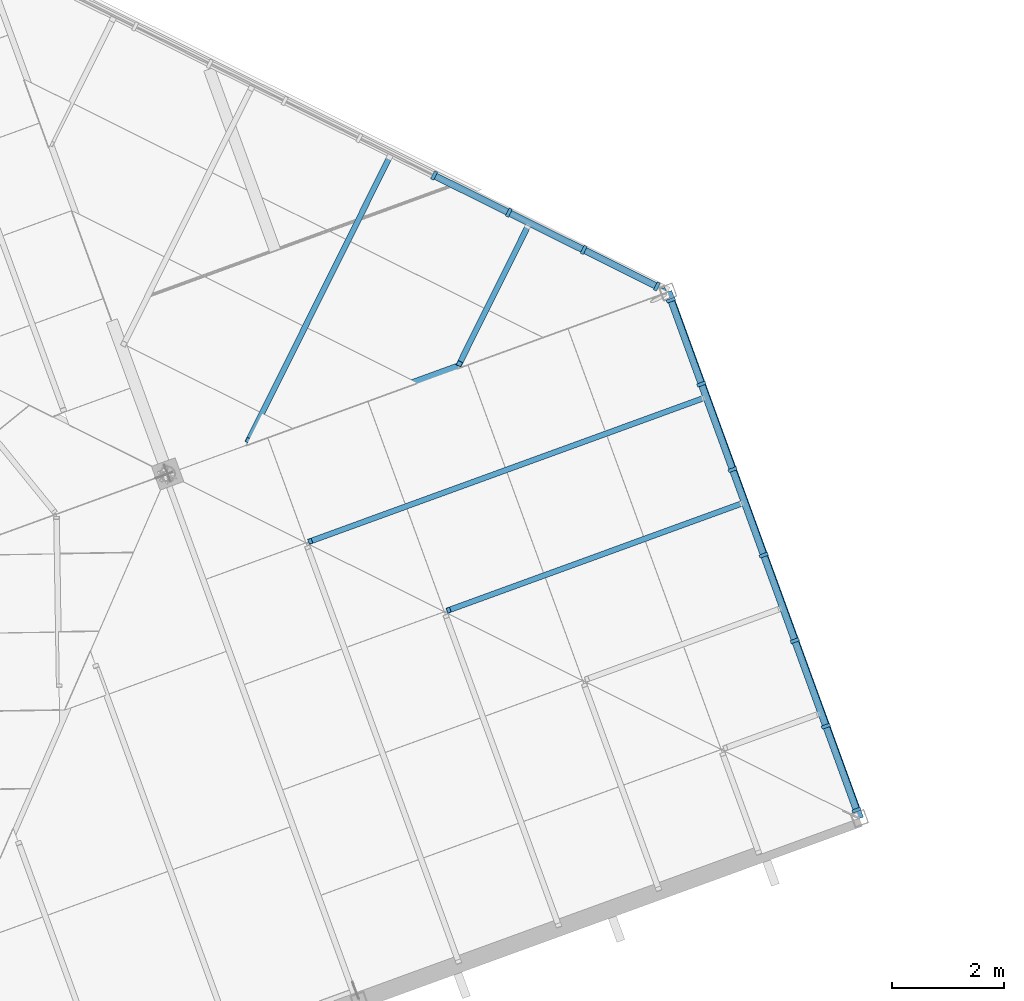
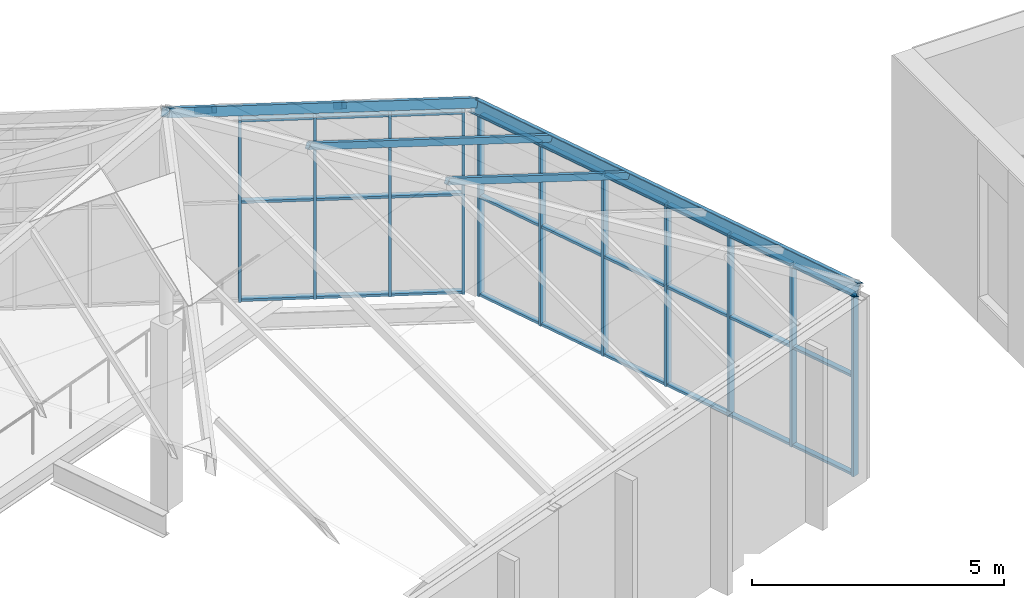
# One storey, part 24 of 95: 43 members, 1 beam, 2 elements without a shape of their own.
"""IFC4 building model written with IfcOpenShell, lengths in metres."""

from ifc_helpers import new_model, si_unit, direction, frame, origin, origin_2d, place, context, subcontext, project, spatial, rectangle, hollow_rectangle, i_section, extrude, material, layer, layer_set, material_profile, profile_set, type_object, element, aggregate, save


model = new_model("IFC4")

# Units and contexts
model_context = context("Model", 3, precision=1e-05, world=origin(), true_north=direction((0.0, 1.0)))
body_context = subcontext(model_context, "Body", "Model", "MODEL_VIEW")
ifc_project = project(units=[si_unit("LENGTHUNIT", "METRE"), si_unit("AREAUNIT", "SQUARE_METRE"), si_unit("VOLUMEUNIT", "CUBIC_METRE"), si_unit("PLANEANGLEUNIT", "RADIAN"), si_unit("MASSUNIT", "GRAM", prefix="KILO")], contexts=[model_context])

# Site, building, storey
site_placement = place(None, origin())
site = spatial("IfcSite", under=ifc_project, at=site_placement, CompositionType="ELEMENT")
building_placement = place(site_placement, origin())
building = spatial("IfcBuilding", under=site, at=building_placement, Name="Windward Yard Aquatics Centre", CompositionType="ELEMENT")
storey_placement = place(building_placement, frame((0.0, 0.0, 9.39990234375)))
storey = spatial("IfcBuildingStorey", under=building, at=storey_placement, Name="L02", CompositionType="ELEMENT", Elevation=9.39990234375)

# Members
ifc_material_1 = material(Name="Steel S355", Category="steel")
ifc_material_profile_1 = material_profile(ifc_material_1, hollow_rectangle(XDim=0.202880859375, YDim=0.202880859375, WallThickness=0.0087890625, at=origin_2d()), Name="HSS203x203x9.5")
ifc_profile_set_1 = profile_set([ifc_material_profile_1], Name="Steel S355")
member_type_1 = type_object("IfcMemberType", Name="F HSS203x203x9.5 brace", PredefinedType="BRACE", material=ifc_profile_set_1)
member_1_placement = place(storey_placement, frame((43.806396484375, 98.451416015625, 4.630859375), z_axis=(-0.836940202925, -0.304608237947, 0.454692113527), x_axis=(0.421432812681, -0.888749879217, 0.180327581328)))
element("IfcMember", 1, at=member_1_placement, inside=storey, type_object=member_type_1, Name="F.RF.H.16", PredefinedType="BRACE", context=body_context, shape_type="SweptSolid", body=[
    extrude(hollow_rectangle(XDim=0.202880859375, YDim=0.202880859375, WallThickness=0.0087890625, at=origin_2d()), origin(), (0.0, 0.0, 1.0), 10.666259765625),
])
ifc_material_profile_2 = material_profile(ifc_material_1, hollow_rectangle(XDim=0.10009765625, YDim=0.14990234375, WallThickness=0.006103515625, at=origin_2d()), Name="RHS150x100x6")
ifc_profile_set_2 = profile_set([ifc_material_profile_2], Name="Steel S355")
member_type_2 = type_object("IfcMemberType", Name="F RHS150x100x6 rafter", PredefinedType="RAFTER", material=ifc_profile_set_2)
member_2_placement = place(storey_placement, frame((44.49072265625, 96.601806640625, 4.651123046875), z_axis=(-0.836923531519, -0.304632246898, 0.45470671486), x_axis=(0.342036990971, -0.939686488573, 0.0)))
element("IfcMember", 2, at=member_2_placement, inside=storey, type_object=member_type_2, Name="F.RF.R.03.01", PredefinedType="RAFTER", context=body_context, shape_type="SweptSolid", body=[
    extrude(hollow_rectangle(XDim=0.10009765625, YDim=0.14990234375, WallThickness=0.006103515625, at=origin_2d()), origin(), (0.0, 0.0, 1.0), 8.38623046875),
])
member_3_placement = place(storey_placement, frame((45.1748046875, 94.722412109375, 4.651123046875), z_axis=(-0.836921825488, -0.3046262693, 0.454713859558), x_axis=(0.342031680218, -0.93968842162, 0.0)))
element("IfcMember", 3, at=member_3_placement, inside=storey, type_object=member_type_2, Name="F.RF.R.03.02", PredefinedType="RAFTER", context=body_context, shape_type="SweptSolid", body=[
    extrude(hollow_rectangle(XDim=0.10009765625, YDim=0.14990234375, WallThickness=0.006103515625, at=origin_2d()), origin(), (0.0, 0.0, 1.0), 6.2529296875),
])
member_4_placement = place(storey_placement, frame((38.88671875, 100.900390625, 4.6591796875), z_axis=(-0.364418060771, -0.73191242382, 0.575763563315), x_axis=(0.895178429972, -0.445707952041, 0.0)))
element("IfcMember", 4, at=member_4_placement, inside=storey, type_object=member_type_2, Name="F.RF.R.04.03", PredefinedType="RAFTER", context=body_context, shape_type="SweptSolid", body=[
    extrude(hollow_rectangle(XDim=0.10009765625, YDim=0.14990234375, WallThickness=0.006103515625, at=origin_2d()), origin(), (0.0, 0.0, 1.0), 6.904541015625),
])
member_5_placement = place(storey_placement, frame((41.356201171875, 99.670654296875, 4.6591796875), z_axis=(-0.364389391305, -0.731910026381, 0.575784755606), x_axis=(0.895191837706, -0.445681022374, 0.0)))
element("IfcMember", 5, at=member_5_placement, inside=storey, type_object=member_type_2, Name="F.RF.R.04.04", PredefinedType="RAFTER", context=body_context, shape_type="SweptSolid", body=[
    extrude(hollow_rectangle(XDim=0.10009765625, YDim=0.14990234375, WallThickness=0.006103515625, at=origin_2d()), origin(), (0.0, 0.0, 1.0), 3.352783203125),
])

# Beam
ifc_material_profile_3 = material_profile(ifc_material_1, i_section(OverallWidth=0.202880859375, OverallDepth=0.302001953125, WebThickness=0.007568359375, FlangeThickness=0.01318359375, at=origin_2d()), Name="W310x60")
ifc_profile_set_3 = profile_set([ifc_material_profile_3], Name="Steel S355")
beam_type = type_object("IfcBeamType", Name="F W310x60 beam", PredefinedType="BEAM", material=ifc_profile_set_3)
beam_placement = place(storey_placement, frame((47.194580078125, 89.072509765625, 4.58349609375), z_axis=(-0.342023369638, 0.939691446498, 0.0), x_axis=(-0.836932163213, -0.304621649678, 0.454697926901)))
element("IfcBeam", 6, at=beam_placement, inside=storey, type_object=beam_type, Name="F.RF.E.15", PredefinedType="BEAM", context=body_context, shape_type="SweptSolid", body=[
    extrude(i_section(OverallWidth=0.202880859375, OverallDepth=0.302001953125, WebThickness=0.007568359375, FlangeThickness=0.01318359375, at=origin_2d()), origin(), (0.0, 0.0, 1.0), 9.999755859375),
])

# Curtain wall, members
ifc_material_2 = material(Name="Aluminium, anodised", Category="aluminium")
ifc_layer = layer(ifc_material_2, 0.14990234375)
ifc_layer_set = layer_set([ifc_layer], Name="F curtain wall 150 aluminium")
curtain_wall_type = type_object("IfcCurtainWallType", Name="F curtain wall 150 aluminium", PredefinedType="NOTDEFINED", material=ifc_layer_set)
curtain_wall_1_placement = place(storey_placement, origin())
curtain_wall_1 = element("IfcCurtainWall", 7, at=curtain_wall_1_placement, inside=storey, type_object=curtain_wall_type, Name="Foyer glazing L02 1", PredefinedType="NOTDEFINED")
ifc_material_profile_4 = material_profile(ifc_material_2, rectangle(XDim=0.159912109375, YDim=0.06005859375, at=origin_2d()), Name="MULLION 60x160")
ifc_profile_set_4 = profile_set([ifc_material_profile_4], Name="Aluminium, anodised")
member_type_3 = type_object("IfcMemberType", Name="F mullion 60x160 aluminium", PredefinedType="MULLION", material=ifc_profile_set_4)
member_6_placement = place(storey_placement, frame((47.220703125, 89.2490234375, 0.0), z_axis=(0.0, 0.0, 1.0), x_axis=(-0.939693023091, -0.342019037998, 0.0)))
member_6 = element("IfcMember", 8, at=member_6_placement, type_object=member_type_3, Name="FCW1 mullion 1", PredefinedType="MULLION", context=body_context, shape_type="SweptSolid", body=[
    extrude(rectangle(XDim=0.159912109375, YDim=0.06005859375, at=origin_2d()), origin(), (0.0, 0.0, 1.0), 4.400146484375),
])
member_7_placement = place(storey_placement, frame((46.67529296875, 90.7470703125, 0.0), z_axis=(0.0, 0.0, 1.0), x_axis=(-0.939693023091, -0.342019037998, 0.0)))
member_7 = element("IfcMember", 9, at=member_7_placement, type_object=member_type_3, Name="FCW1 mullion 2", PredefinedType="MULLION", context=body_context, shape_type="SweptSolid", body=[
    extrude(rectangle(XDim=0.159912109375, YDim=0.06005859375, at=origin_2d()), origin(), (0.0, 0.0, 1.0), 4.400146484375),
])
member_8_placement = place(storey_placement, frame((46.119873046875, 92.2734375, 0.0), z_axis=(0.0, 0.0, 1.0), x_axis=(-0.939693023091, -0.342019037998, 0.0)))
member_8 = element("IfcMember", 10, at=member_8_placement, type_object=member_type_3, Name="FCW1 mullion 3", PredefinedType="MULLION", context=body_context, shape_type="SweptSolid", body=[
    extrude(rectangle(XDim=0.159912109375, YDim=0.06005859375, at=origin_2d()), origin(), (0.0, 0.0, 1.0), 4.400146484375),
])
member_9_placement = place(storey_placement, frame((45.564208984375, 93.7998046875, 0.0), z_axis=(0.0, 0.0, 1.0), x_axis=(-0.939693023091, -0.342019037998, 0.0)))
member_9 = element("IfcMember", 11, at=member_9_placement, type_object=member_type_3, Name="FCW1 mullion 4", PredefinedType="MULLION", context=body_context, shape_type="SweptSolid", body=[
    extrude(rectangle(XDim=0.159912109375, YDim=0.06005859375, at=origin_2d()), origin(), (0.0, 0.0, 1.0), 4.400146484375),
])
member_10_placement = place(storey_placement, frame((45.0087890625, 95.326171875, 0.0), z_axis=(0.0, 0.0, 1.0), x_axis=(-0.939693023091, -0.342019037998, 0.0)))
member_10 = element("IfcMember", 12, at=member_10_placement, type_object=member_type_3, Name="FCW1 mullion 5", PredefinedType="MULLION", context=body_context, shape_type="SweptSolid", body=[
    extrude(rectangle(XDim=0.159912109375, YDim=0.06005859375, at=origin_2d()), origin(), (0.0, 0.0, 1.0), 4.400146484375),
])
member_11_placement = place(storey_placement, frame((44.453125, 96.8525390625, 0.0), z_axis=(0.0, 0.0, 1.0), x_axis=(-0.939693023091, -0.342019037998, 0.0)))
member_11 = element("IfcMember", 13, at=member_11_placement, type_object=member_type_3, Name="FCW1 mullion 6", PredefinedType="MULLION", context=body_context, shape_type="SweptSolid", body=[
    extrude(rectangle(XDim=0.159912109375, YDim=0.06005859375, at=origin_2d()), origin(), (0.0, 0.0, 1.0), 4.400146484375),
])
member_12_placement = place(storey_placement, frame((43.907958984375, 98.350830078125, 0.0), z_axis=(0.0, 0.0, 1.0), x_axis=(-0.939693023091, -0.342019037998, 0.0)))
member_12 = element("IfcMember", 14, at=member_12_placement, type_object=member_type_3, Name="FCW1 mullion 7", PredefinedType="MULLION", context=body_context, shape_type="SweptSolid", body=[
    extrude(rectangle(XDim=0.159912109375, YDim=0.06005859375, at=origin_2d()), origin(), (0.0, 0.0, 1.0), 4.400146484375),
])

curtain_wall_2_placement = place(storey_placement, origin())
curtain_wall_2 = element("IfcCurtainWall", 15, at=curtain_wall_2_placement, inside=storey, type_object=curtain_wall_type, Name="Foyer glazing L02 2", PredefinedType="NOTDEFINED")
member_13_placement = place(storey_placement, frame((43.6572265625, 98.596435546875, 0.0), z_axis=(0.0, 0.0, 1.0), x_axis=(-0.445706968105, -0.895178919872, 0.0)))
member_13 = element("IfcMember", 16, at=member_13_placement, type_object=member_type_3, Name="FCW2 mullion 1", PredefinedType="MULLION", context=body_context, shape_type="SweptSolid", body=[
    extrude(rectangle(XDim=0.159912109375, YDim=0.06005859375, at=origin_2d()), origin(), (0.0, 0.0, 1.0), 4.400146484375),
])
member_14_placement = place(storey_placement, frame((42.35009765625, 99.247314453125, 0.0), z_axis=(0.0, 0.0, 1.0), x_axis=(-0.445706968105, -0.895178919872, 0.0)))
member_14 = element("IfcMember", 17, at=member_14_placement, type_object=member_type_3, Name="FCW2 mullion 2", PredefinedType="MULLION", context=body_context, shape_type="SweptSolid", body=[
    extrude(rectangle(XDim=0.159912109375, YDim=0.06005859375, at=origin_2d()), origin(), (0.0, 0.0, 1.0), 4.400146484375),
])
member_15_placement = place(storey_placement, frame((41.015869140625, 99.91162109375, 0.0), z_axis=(0.0, 0.0, 1.0), x_axis=(-0.445706968105, -0.895178919872, 0.0)))
member_15 = element("IfcMember", 18, at=member_15_placement, type_object=member_type_3, Name="FCW2 mullion 3", PredefinedType="MULLION", context=body_context, shape_type="SweptSolid", body=[
    extrude(rectangle(XDim=0.159912109375, YDim=0.06005859375, at=origin_2d()), origin(), (0.0, 0.0, 1.0), 4.400146484375),
])
member_16_placement = place(storey_placement, frame((39.681640625, 100.575927734375, 0.0), z_axis=(0.0, 0.0, 1.0), x_axis=(-0.445706968105, -0.895178919872, 0.0)))
member_16 = element("IfcMember", 19, at=member_16_placement, type_object=member_type_3, Name="FCW2 mullion 4", PredefinedType="MULLION", context=body_context, shape_type="SweptSolid", body=[
    extrude(rectangle(XDim=0.159912109375, YDim=0.06005859375, at=origin_2d()), origin(), (0.0, 0.0, 1.0), 4.400146484375),
])

# Member
ifc_material_profile_5 = material_profile(ifc_material_2, rectangle(XDim=0.1201171875, YDim=0.06005859375, at=origin_2d()), Name="TRANSOM 60x120")
ifc_profile_set_5 = profile_set([ifc_material_profile_5], Name="Aluminium, anodised")
member_type_4 = type_object("IfcMemberType", Name="F transom 60x120 aluminium", PredefinedType="USERDEFINED", material=ifc_profile_set_5)
member_17_placement = place(storey_placement, frame((47.21044921875, 89.277099609375, 0.030029296875), z_axis=(-0.342075187401, 0.939672584555, 0.0), x_axis=(-0.939672584555, -0.342075187401, 0.0)))
member_17 = element("IfcMember", 20, at=member_17_placement, type_object=member_type_4, Name="FCW1 transom 1.1", ObjectType="TRANSOM", PredefinedType="USERDEFINED", context=body_context, shape_type="SweptSolid", body=[
    extrude(rectangle(XDim=0.1201171875, YDim=0.06005859375, at=origin_2d()), origin(), (0.0, 0.0, 1.0), 1.534423828125),
])

member_18_placement = place(storey_placement, frame((47.21044921875, 89.277099609375, 2.400146484375), z_axis=(-0.342075187401, 0.939672584555, 0.0), x_axis=(-0.939672584555, -0.342075187401, 0.0)))
member_18 = element("IfcMember", 21, at=member_18_placement, type_object=member_type_4, Name="FCW1 transom 1.2", ObjectType="TRANSOM", PredefinedType="USERDEFINED", context=body_context, shape_type="SweptSolid", body=[
    extrude(rectangle(XDim=0.1201171875, YDim=0.06005859375, at=origin_2d()), origin(), (0.0, 0.0, 1.0), 1.534423828125),
])

member_19_placement = place(storey_placement, frame((47.21044921875, 89.277099609375, 4.3701171875), z_axis=(-0.342075187401, 0.939672584555, 0.0), x_axis=(-0.939672584555, -0.342075187401, 0.0)))
member_19 = element("IfcMember", 22, at=member_19_placement, type_object=member_type_4, Name="FCW1 transom 1.3", ObjectType="TRANSOM", PredefinedType="USERDEFINED", context=body_context, shape_type="SweptSolid", body=[
    extrude(rectangle(XDim=0.1201171875, YDim=0.06005859375, at=origin_2d()), origin(), (0.0, 0.0, 1.0), 1.534423828125),
])

member_20_placement = place(storey_placement, frame((46.6650390625, 90.775390625, 0.030029296875), z_axis=(-0.341956088346, 0.93971593242, 0.0), x_axis=(-0.93971593242, -0.341956088346, 0.0)))
member_20 = element("IfcMember", 23, at=member_20_placement, type_object=member_type_4, Name="FCW1 transom 2.1", ObjectType="TRANSOM", PredefinedType="USERDEFINED", context=body_context, shape_type="SweptSolid", body=[
    extrude(rectangle(XDim=0.1201171875, YDim=0.06005859375, at=origin_2d()), origin(), (0.0, 0.0, 1.0), 1.564208984375),
])

member_21_placement = place(storey_placement, frame((46.6650390625, 90.775390625, 2.400146484375), z_axis=(-0.341956088346, 0.93971593242, 0.0), x_axis=(-0.93971593242, -0.341956088346, 0.0)))
member_21 = element("IfcMember", 24, at=member_21_placement, type_object=member_type_4, Name="FCW1 transom 2.2", ObjectType="TRANSOM", PredefinedType="USERDEFINED", context=body_context, shape_type="SweptSolid", body=[
    extrude(rectangle(XDim=0.1201171875, YDim=0.06005859375, at=origin_2d()), origin(), (0.0, 0.0, 1.0), 1.564208984375),
])

member_22_placement = place(storey_placement, frame((46.6650390625, 90.775390625, 4.3701171875), z_axis=(-0.341956088346, 0.93971593242, 0.0), x_axis=(-0.93971593242, -0.341956088346, 0.0)))
member_22 = element("IfcMember", 25, at=member_22_placement, type_object=member_type_4, Name="FCW1 transom 2.3", ObjectType="TRANSOM", PredefinedType="USERDEFINED", context=body_context, shape_type="SweptSolid", body=[
    extrude(rectangle(XDim=0.1201171875, YDim=0.06005859375, at=origin_2d()), origin(), (0.0, 0.0, 1.0), 1.564208984375),
])

member_23_placement = place(storey_placement, frame((46.109619140625, 92.3017578125, 0.030029296875), z_axis=(-0.342093900136, 0.939665772224, 0.0), x_axis=(-0.939665772224, -0.342093900136, 0.0)))
member_23 = element("IfcMember", 26, at=member_23_placement, type_object=member_type_4, Name="FCW1 transom 3.1", ObjectType="TRANSOM", PredefinedType="USERDEFINED", context=body_context, shape_type="SweptSolid", body=[
    extrude(rectangle(XDim=0.1201171875, YDim=0.06005859375, at=origin_2d()), origin(), (0.0, 0.0, 1.0), 1.564453125),
])

member_24_placement = place(storey_placement, frame((46.109619140625, 92.3017578125, 2.400146484375), z_axis=(-0.342093900136, 0.939665772224, 0.0), x_axis=(-0.939665772224, -0.342093900136, 0.0)))
member_24 = element("IfcMember", 27, at=member_24_placement, type_object=member_type_4, Name="FCW1 transom 3.2", ObjectType="TRANSOM", PredefinedType="USERDEFINED", context=body_context, shape_type="SweptSolid", body=[
    extrude(rectangle(XDim=0.1201171875, YDim=0.06005859375, at=origin_2d()), origin(), (0.0, 0.0, 1.0), 1.564453125),
])

member_25_placement = place(storey_placement, frame((46.109619140625, 92.3017578125, 4.3701171875), z_axis=(-0.342093900136, 0.939665772224, 0.0), x_axis=(-0.939665772224, -0.342093900136, 0.0)))
member_25 = element("IfcMember", 28, at=member_25_placement, type_object=member_type_4, Name="FCW1 transom 3.3", ObjectType="TRANSOM", PredefinedType="USERDEFINED", context=body_context, shape_type="SweptSolid", body=[
    extrude(rectangle(XDim=0.1201171875, YDim=0.06005859375, at=origin_2d()), origin(), (0.0, 0.0, 1.0), 1.564453125),
])

member_26_placement = place(storey_placement, frame((45.553955078125, 93.828125, 0.030029296875), z_axis=(-0.341956088346, 0.93971593242, 0.0), x_axis=(-0.93971593242, -0.341956088346, 0.0)))
member_26 = element("IfcMember", 29, at=member_26_placement, type_object=member_type_4, Name="FCW1 transom 4.1", ObjectType="TRANSOM", PredefinedType="USERDEFINED", context=body_context, shape_type="SweptSolid", body=[
    extrude(rectangle(XDim=0.1201171875, YDim=0.06005859375, at=origin_2d()), origin(), (0.0, 0.0, 1.0), 1.564208984375),
])

member_27_placement = place(storey_placement, frame((45.553955078125, 93.828125, 2.400146484375), z_axis=(-0.341956088346, 0.93971593242, 0.0), x_axis=(-0.93971593242, -0.341956088346, 0.0)))
member_27 = element("IfcMember", 30, at=member_27_placement, type_object=member_type_4, Name="FCW1 transom 4.2", ObjectType="TRANSOM", PredefinedType="USERDEFINED", context=body_context, shape_type="SweptSolid", body=[
    extrude(rectangle(XDim=0.1201171875, YDim=0.06005859375, at=origin_2d()), origin(), (0.0, 0.0, 1.0), 1.564208984375),
])

member_28_placement = place(storey_placement, frame((45.553955078125, 93.828125, 4.3701171875), z_axis=(-0.341956088346, 0.93971593242, 0.0), x_axis=(-0.93971593242, -0.341956088346, 0.0)))
member_28 = element("IfcMember", 31, at=member_28_placement, type_object=member_type_4, Name="FCW1 transom 4.3", ObjectType="TRANSOM", PredefinedType="USERDEFINED", context=body_context, shape_type="SweptSolid", body=[
    extrude(rectangle(XDim=0.1201171875, YDim=0.06005859375, at=origin_2d()), origin(), (0.0, 0.0, 1.0), 1.564208984375),
])

member_29_placement = place(storey_placement, frame((44.99853515625, 95.3544921875, 0.030029296875), z_axis=(-0.342093900136, 0.939665772224, 0.0), x_axis=(-0.939665772224, -0.342093900136, 0.0)))
member_29 = element("IfcMember", 32, at=member_29_placement, type_object=member_type_4, Name="FCW1 transom 5.1", ObjectType="TRANSOM", PredefinedType="USERDEFINED", context=body_context, shape_type="SweptSolid", body=[
    extrude(rectangle(XDim=0.1201171875, YDim=0.06005859375, at=origin_2d()), origin(), (0.0, 0.0, 1.0), 1.564453125),
])

member_30_placement = place(storey_placement, frame((44.99853515625, 95.3544921875, 2.400146484375), z_axis=(-0.342093900136, 0.939665772224, 0.0), x_axis=(-0.939665772224, -0.342093900136, 0.0)))
member_30 = element("IfcMember", 33, at=member_30_placement, type_object=member_type_4, Name="FCW1 transom 5.2", ObjectType="TRANSOM", PredefinedType="USERDEFINED", context=body_context, shape_type="SweptSolid", body=[
    extrude(rectangle(XDim=0.1201171875, YDim=0.06005859375, at=origin_2d()), origin(), (0.0, 0.0, 1.0), 1.564453125),
])

member_31_placement = place(storey_placement, frame((44.99853515625, 95.3544921875, 4.3701171875), z_axis=(-0.342093900136, 0.939665772224, 0.0), x_axis=(-0.939665772224, -0.342093900136, 0.0)))
member_31 = element("IfcMember", 34, at=member_31_placement, type_object=member_type_4, Name="FCW1 transom 5.3", ObjectType="TRANSOM", PredefinedType="USERDEFINED", context=body_context, shape_type="SweptSolid", body=[
    extrude(rectangle(XDim=0.1201171875, YDim=0.06005859375, at=origin_2d()), origin(), (0.0, 0.0, 1.0), 1.564453125),
])

member_32_placement = place(storey_placement, frame((44.44287109375, 96.880859375, 0.030029296875), z_axis=(-0.341985823019, 0.939705111646, 0.0), x_axis=(-0.939705111646, -0.341985823019, 0.0)))
member_32 = element("IfcMember", 35, at=member_32_placement, type_object=member_type_4, Name="FCW1 transom 6.1", ObjectType="TRANSOM", PredefinedType="USERDEFINED", context=body_context, shape_type="SweptSolid", body=[
    extrude(rectangle(XDim=0.1201171875, YDim=0.06005859375, at=origin_2d()), origin(), (0.0, 0.0, 1.0), 1.5341796875),
])

member_33_placement = place(storey_placement, frame((44.44287109375, 96.880859375, 2.400146484375), z_axis=(-0.341985823019, 0.939705111646, 0.0), x_axis=(-0.939705111646, -0.341985823019, 0.0)))
member_33 = element("IfcMember", 36, at=member_33_placement, type_object=member_type_4, Name="FCW1 transom 6.2", ObjectType="TRANSOM", PredefinedType="USERDEFINED", context=body_context, shape_type="SweptSolid", body=[
    extrude(rectangle(XDim=0.1201171875, YDim=0.06005859375, at=origin_2d()), origin(), (0.0, 0.0, 1.0), 1.5341796875),
])

member_34_placement = place(storey_placement, frame((44.44287109375, 96.880859375, 4.3701171875), z_axis=(-0.341985823019, 0.939705111646, 0.0), x_axis=(-0.939705111646, -0.341985823019, 0.0)))
member_34 = element("IfcMember", 37, at=member_34_placement, type_object=member_type_4, Name="FCW1 transom 6.3", ObjectType="TRANSOM", PredefinedType="USERDEFINED", context=body_context, shape_type="SweptSolid", body=[
    extrude(rectangle(XDim=0.1201171875, YDim=0.06005859375, at=origin_2d()), origin(), (0.0, 0.0, 1.0), 1.5341796875),
])

aggregate(curtain_wall_1, [member_6, member_7, member_8, member_9, member_10, member_11, member_12, member_17, member_18, member_19, member_20, member_21, member_22, member_23, member_24, member_25, member_26, member_27, member_28, member_29, member_30, member_31, member_32, member_33, member_34])

member_35_placement = place(storey_placement, frame((43.63037109375, 98.60986328125, 0.030029296875), z_axis=(-0.895193083549, 0.445678519975, 0.0), x_axis=(-0.445678519975, -0.895193083549, 0.0)))
member_35 = element("IfcMember", 38, at=member_35_placement, type_object=member_type_4, Name="FCW2 transom 1.1", ObjectType="TRANSOM", PredefinedType="USERDEFINED", context=body_context, shape_type="SweptSolid", body=[
    extrude(rectangle(XDim=0.1201171875, YDim=0.06005859375, at=origin_2d()), origin(), (0.0, 0.0, 1.0), 1.400146484375),
])

member_36_placement = place(storey_placement, frame((43.63037109375, 98.60986328125, 2.400146484375), z_axis=(-0.895193083549, 0.445678519975, 0.0), x_axis=(-0.445678519975, -0.895193083549, 0.0)))
member_36 = element("IfcMember", 39, at=member_36_placement, type_object=member_type_4, Name="FCW2 transom 1.2", ObjectType="TRANSOM", PredefinedType="USERDEFINED", context=body_context, shape_type="SweptSolid", body=[
    extrude(rectangle(XDim=0.1201171875, YDim=0.06005859375, at=origin_2d()), origin(), (0.0, 0.0, 1.0), 1.400146484375),
])

member_37_placement = place(storey_placement, frame((43.63037109375, 98.60986328125, 4.3701171875), z_axis=(-0.895193083549, 0.445678519975, 0.0), x_axis=(-0.445678519975, -0.895193083549, 0.0)))
member_37 = element("IfcMember", 40, at=member_37_placement, type_object=member_type_4, Name="FCW2 transom 1.3", ObjectType="TRANSOM", PredefinedType="USERDEFINED", context=body_context, shape_type="SweptSolid", body=[
    extrude(rectangle(XDim=0.1201171875, YDim=0.06005859375, at=origin_2d()), origin(), (0.0, 0.0, 1.0), 1.400146484375),
])

member_38_placement = place(storey_placement, frame((42.3232421875, 99.2607421875, 0.030029296875), z_axis=(-0.895210935678, 0.445642660258, 0.0), x_axis=(-0.445642660258, -0.895210935678, 0.0)))
member_38 = element("IfcMember", 41, at=member_38_placement, type_object=member_type_4, Name="FCW2 transom 2.1", ObjectType="TRANSOM", PredefinedType="USERDEFINED", context=body_context, shape_type="SweptSolid", body=[
    extrude(rectangle(XDim=0.1201171875, YDim=0.06005859375, at=origin_2d()), origin(), (0.0, 0.0, 1.0), 1.430419921875),
])

member_39_placement = place(storey_placement, frame((42.3232421875, 99.2607421875, 2.400146484375), z_axis=(-0.895210935678, 0.445642660258, 0.0), x_axis=(-0.445642660258, -0.895210935678, 0.0)))
member_39 = element("IfcMember", 42, at=member_39_placement, type_object=member_type_4, Name="FCW2 transom 2.2", ObjectType="TRANSOM", PredefinedType="USERDEFINED", context=body_context, shape_type="SweptSolid", body=[
    extrude(rectangle(XDim=0.1201171875, YDim=0.06005859375, at=origin_2d()), origin(), (0.0, 0.0, 1.0), 1.430419921875),
])

member_40_placement = place(storey_placement, frame((42.3232421875, 99.2607421875, 4.3701171875), z_axis=(-0.895210935678, 0.445642660258, 0.0), x_axis=(-0.445642660258, -0.895210935678, 0.0)))
member_40 = element("IfcMember", 43, at=member_40_placement, type_object=member_type_4, Name="FCW2 transom 2.3", ObjectType="TRANSOM", PredefinedType="USERDEFINED", context=body_context, shape_type="SweptSolid", body=[
    extrude(rectangle(XDim=0.1201171875, YDim=0.06005859375, at=origin_2d()), origin(), (0.0, 0.0, 1.0), 1.430419921875),
])

member_41_placement = place(storey_placement, frame((40.989013671875, 99.925048828125, 0.030029296875), z_axis=(-0.895210935678, 0.445642660258, 0.0), x_axis=(-0.445642660258, -0.895210935678, 0.0)))
member_41 = element("IfcMember", 44, at=member_41_placement, type_object=member_type_4, Name="FCW2 transom 3.1", ObjectType="TRANSOM", PredefinedType="USERDEFINED", context=body_context, shape_type="SweptSolid", body=[
    extrude(rectangle(XDim=0.1201171875, YDim=0.06005859375, at=origin_2d()), origin(), (0.0, 0.0, 1.0), 1.430419921875),
])

member_42_placement = place(storey_placement, frame((40.989013671875, 99.925048828125, 2.400146484375), z_axis=(-0.895210935678, 0.445642660258, 0.0), x_axis=(-0.445642660258, -0.895210935678, 0.0)))
member_42 = element("IfcMember", 45, at=member_42_placement, type_object=member_type_4, Name="FCW2 transom 3.2", ObjectType="TRANSOM", PredefinedType="USERDEFINED", context=body_context, shape_type="SweptSolid", body=[
    extrude(rectangle(XDim=0.1201171875, YDim=0.06005859375, at=origin_2d()), origin(), (0.0, 0.0, 1.0), 1.430419921875),
])

member_43_placement = place(storey_placement, frame((40.989013671875, 99.925048828125, 4.3701171875), z_axis=(-0.895210935678, 0.445642660258, 0.0), x_axis=(-0.445642660258, -0.895210935678, 0.0)))
member_43 = element("IfcMember", 46, at=member_43_placement, type_object=member_type_4, Name="FCW2 transom 3.3", ObjectType="TRANSOM", PredefinedType="USERDEFINED", context=body_context, shape_type="SweptSolid", body=[
    extrude(rectangle(XDim=0.1201171875, YDim=0.06005859375, at=origin_2d()), origin(), (0.0, 0.0, 1.0), 1.430419921875),
])

aggregate(curtain_wall_2, [member_13, member_14, member_15, member_16, member_35, member_36, member_37, member_38, member_39, member_40, member_41, member_42, member_43])

save(model, "model.ifc")
